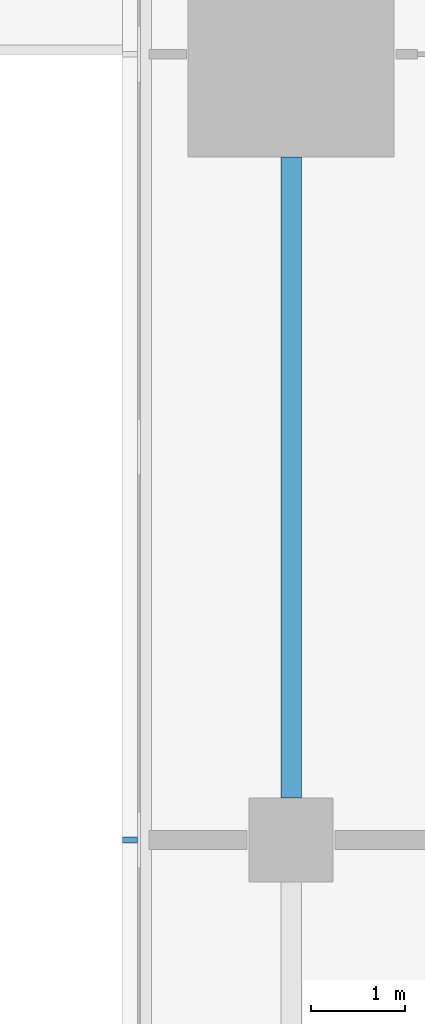
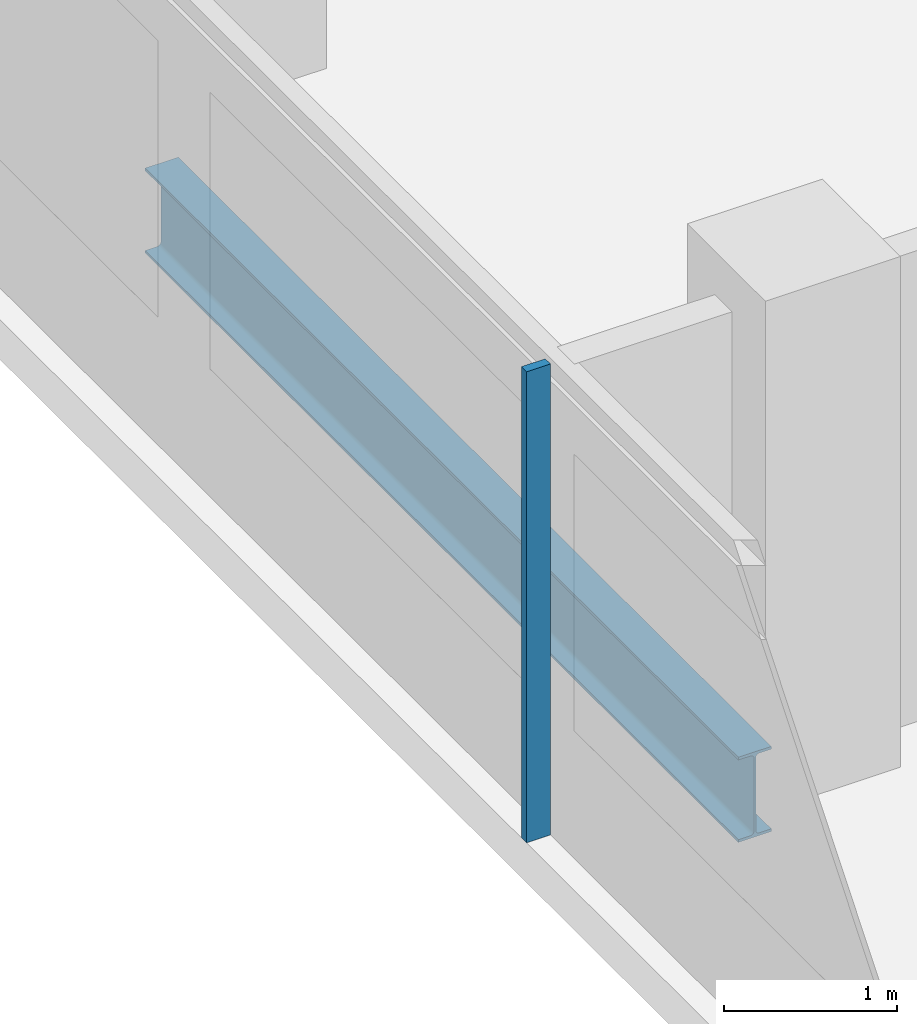
# One storey, part 4 of 29: 1 beam, 1 member, 1 element without a shape of its own.
"""IFC4 building model written with IfcOpenShell, lengths in metres."""

from ifc_helpers import new_model, si_unit, direction, frame, origin, origin_2d, place, context, subcontext, project, spatial, rectangle, i_section, extrude, material, material_profile, profile_set, type_object, element, aggregate, save


model = new_model("IFC4")

# Units and contexts
model_context = context("Model", 3, precision=1e-05, world=origin(), true_north=direction((0.0, 1.0)))
body_context = subcontext(model_context, "Body", "Model", "MODEL_VIEW")
ifc_project = project(units=[si_unit("LENGTHUNIT", "METRE"), si_unit("AREAUNIT", "SQUARE_METRE"), si_unit("VOLUMEUNIT", "CUBIC_METRE"), si_unit("PLANEANGLEUNIT", "RADIAN"), si_unit("MASSUNIT", "GRAM", prefix="KILO")], contexts=[model_context])

# Site, building, storey
site_placement = place(None, origin())
site = spatial("IfcSite", under=ifc_project, at=site_placement, CompositionType="ELEMENT")
building_placement = place(site_placement, origin())
building = spatial("IfcBuilding", under=site, at=building_placement, Name="Saffron Gate Tower", CompositionType="ELEMENT")
storey_placement = place(building_placement, frame((0.0, 0.0, 55.199951171875)))
storey = spatial("IfcBuildingStorey", under=building, at=storey_placement, Name="L12", CompositionType="ELEMENT", Elevation=55.199951171875)

# Beam
ifc_material_1 = material(Name="Structural steel S355", Category="steel")
ifc_material_profile_1 = material_profile(ifc_material_1, i_section(OverallWidth=0.219970703125, OverallDepth=0.60009765625, WebThickness=0.011962890625, FlangeThickness=0.01904296875, FilletRadius=0.02392578125, at=origin_2d()))
ifc_profile_set_1 = profile_set([ifc_material_profile_1], Name="Structural steel S355")
beam_type = type_object("IfcBeamType", Name="B16 IPE 600", PredefinedType="SPANDREL", material=ifc_profile_set_1)
beam_placement = place(storey_placement, frame((49.800048828125, 57.449951171875, -0.579833984375), z_axis=(0.0, 1.0, 0.0), x_axis=(-1.0, 0.0, 0.0)))
element("IfcBeam", 1, at=beam_placement, inside=storey, type_object=beam_type, Name="B16 SPANDREL BEAM", PredefinedType="SPANDREL", context=body_context, shape_type="SweptSolid", body=[
    extrude(i_section(OverallWidth=0.219970703125, OverallDepth=0.60009765625, WebThickness=0.011962890625, FlangeThickness=0.01904296875, FilletRadius=0.02392578125, at=origin_2d()), origin(), (0.0, 0.0, 1.0), 6.85009765625),
])

# Curtain wall, member
ifc_material_2 = material(Name="Aluminium, bronze anodised", Category="aluminium")
curtain_wall_type = type_object("IfcCurtainWallType", Name="CWS2 curtain wall side facades", PredefinedType="NOTDEFINED", material=ifc_material_2)
curtain_wall_placement = place(storey_placement, origin())
curtain_wall = element("IfcCurtainWall", 2, at=curtain_wall_placement, inside=storey, type_object=curtain_wall_type, Name="CWS2 run 10", PredefinedType="NOTDEFINED")
ifc_material_profile_2 = material_profile(ifc_material_2, rectangle(XDim=0.159912109375, YDim=0.06005859375, at=origin_2d()))
ifc_profile_set_2 = profile_set([ifc_material_profile_2], Name="Aluminium, bronze anodised")
member_type = type_object("IfcMemberType", Name="CWS2 mullion 60x160", PredefinedType="MULLION", material=ifc_profile_set_2)
member_placement = place(storey_placement, frame((48.080078125, 57.0, 0.0), z_axis=(0.0, 0.0, 1.0), x_axis=(1.0, 0.0, 0.0)))
member = element("IfcMember", 3, at=member_placement, type_object=member_type, Name="CWS2 mullion 3", PredefinedType="MULLION", context=body_context, shape_type="SweptSolid", body=[
    extrude(rectangle(XDim=0.159912109375, YDim=0.06005859375, at=origin_2d()), origin(), (0.0, 0.0, 1.0), 3.320068359375),
])
aggregate(curtain_wall, [member])

save(model, "model.ifc")
